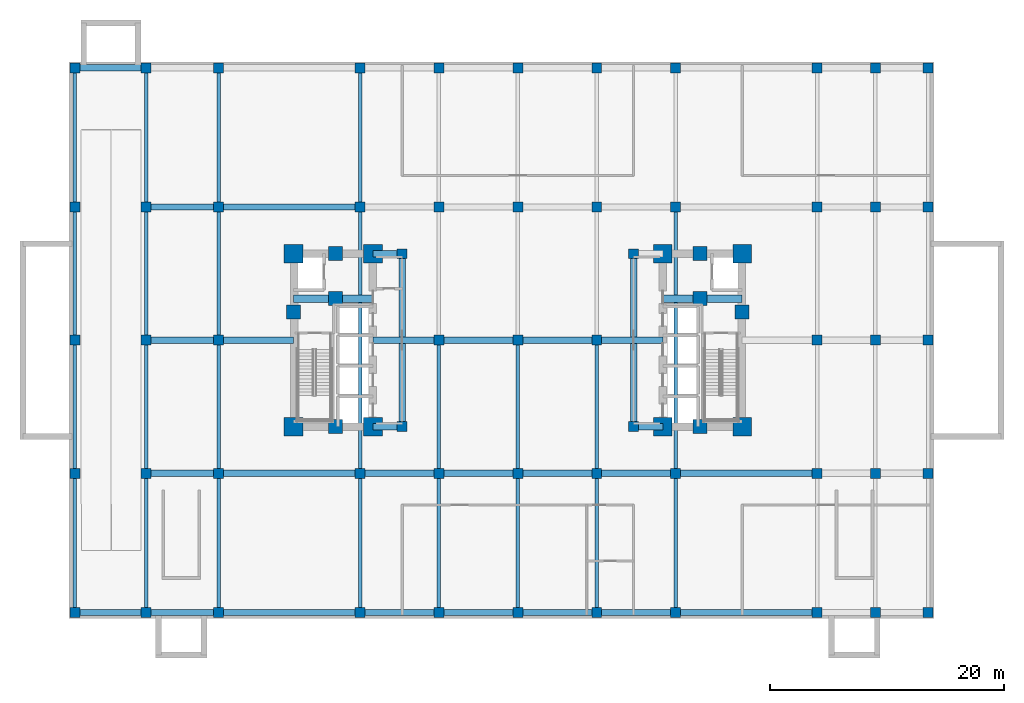
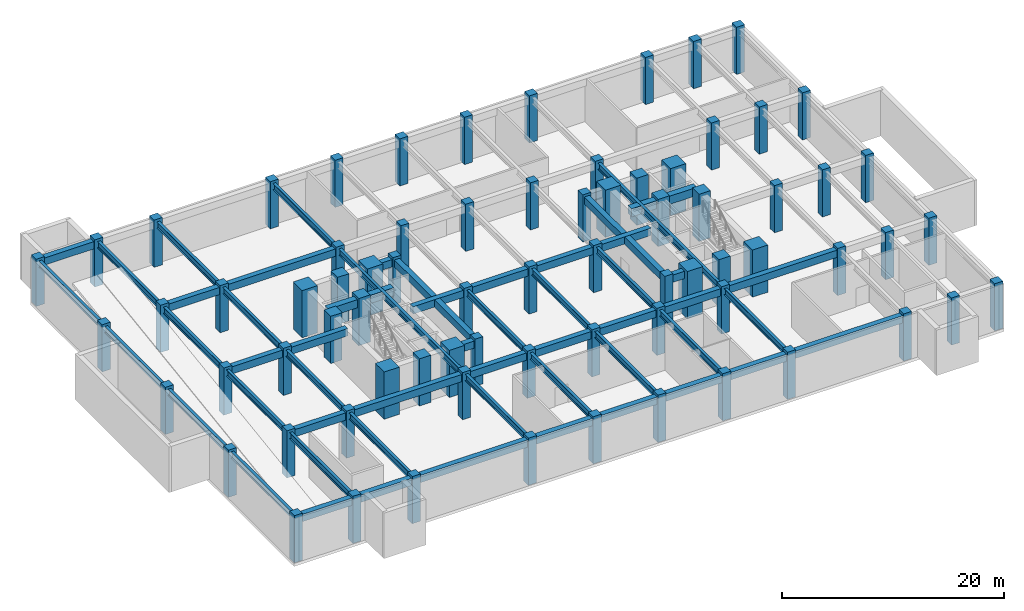
# One storey, part 1 of 7: 73 columns, 54 beams.
"""IFC4 building model written with IfcOpenShell, lengths in metres."""

import ifcopenshell
import ifcopenshell.guid

model = None  # the IFC model being written
_history = None  # IfcOwnerHistory: only IFC2X3 demands one
_inside = {}  # id of a spatial element -> (the spatial element, [elements in it])
_under = {}  # id of a project, library or spatial element -> (it, [spatial elements below it])
_declared = {}  # id of a project -> (the project, [libraries it declares])
_typed = {}  # id of a type object -> (the type object, [elements of that type])
_made_of = {}  # id of a material, layer set ... -> (it, [elements and type objects made of it])


def new_model(schema):
    """Start an empty IFC model of exactly this schema.

    Asked for "IFC4X3", IfcOpenShell would pick the latest addendum, in which some entities
    have other attributes; the version numbers below select the first issue.
    IFC2X3 requires an IfcOwnerHistory on every rooted entity: one is made here for all.
    """
    global model, _history
    if schema == "IFC4X3":
        model = ifcopenshell.file(schema_version=(4, 3, 0, 0))
    else:
        model = ifcopenshell.file(schema=schema)
    _inside.clear()
    _under.clear()
    _declared.clear()
    _typed.clear()
    _made_of.clear()
    _history = None
    if model.schema == "IFC2X3":
        org = make("IfcOrganization", Name="unknown")
        user = make(
            "IfcPersonAndOrganization",
            ThePerson=make("IfcPerson", FamilyName="unknown"),
            TheOrganization=org,
        )
        app = make(
            "IfcApplication",
            ApplicationDeveloper=org,
            Version="unknown",
            ApplicationFullName="unknown",
            ApplicationIdentifier="unknown",
        )
        _history = make(
            "IfcOwnerHistory",
            OwningUser=user,
            OwningApplication=app,
            ChangeAction="ADDED",
            CreationDate=0,
        )
    return model


def make(cls, **values):
    """One entity of the class cls with the attributes given. An attribute that is None is left unset."""
    return model.create_entity(
        cls, **{name: value for name, value in values.items() if value is not None}
    )


def rooted(cls, **values):
    """An entity with a GlobalId (a new one), such as an element, a storey or a relation."""
    return make(cls, GlobalId=ifcopenshell.guid.new(), OwnerHistory=_history, **values)


def si_unit(unit_type, name, prefix=None):
    """IfcSIUnit, for example si_unit("LENGTHUNIT", "METRE", prefix="MILLI")."""
    return make("IfcSIUnit", UnitType=unit_type, Prefix=prefix, Name=name)


def assignment(units):
    """IfcUnitAssignment: the units of a project."""
    return None if units is None else make("IfcUnitAssignment", Units=units)


def point(xyz):
    """IfcCartesianPoint."""
    return None if xyz is None else make("IfcCartesianPoint", Coordinates=xyz)


def direction(xyz):
    """IfcDirection."""
    return None if xyz is None else make("IfcDirection", DirectionRatios=xyz)


def frame(location, z_axis=None, x_axis=None):
    """IfcAxis2Placement3D, a coordinate frame: its origin and axes. An axis left out is left unset."""
    return make(
        "IfcAxis2Placement3D",
        Location=point(location),
        Axis=direction(z_axis),
        RefDirection=direction(x_axis),
    )


def frame_2d(location, x_axis=None):
    """IfcAxis2Placement2D, a coordinate frame in the plane: its origin and x axis."""
    return make(
        "IfcAxis2Placement2D", Location=point(location), RefDirection=direction(x_axis)
    )


def origin():
    """The frame at (0, 0, 0) with its axes left unset."""
    return frame((0.0, 0.0, 0.0))


def origin_2d():
    """The frame at (0, 0) in the plane with its x axis left unset."""
    return frame_2d((0.0, 0.0))


def place(relative_to, where):
    """IfcLocalPlacement: puts the frame where relative to a parent placement (None: the world)."""
    return make(
        "IfcLocalPlacement", PlacementRelTo=relative_to, RelativePlacement=where
    )


def context(
    kind, dimensions, precision=None, world=None, true_north=None, identifier=None
):
    """IfcGeometricRepresentationContext, for example the 3D "Model" context."""
    return make(
        "IfcGeometricRepresentationContext",
        ContextIdentifier=identifier,
        ContextType=kind,
        CoordinateSpaceDimension=dimensions,
        Precision=precision,
        WorldCoordinateSystem=world,
        TrueNorth=true_north,
    )


def subcontext(parent, identifier, kind, view, scale=None):
    """IfcGeometricRepresentationSubContext, for example "Body" below "Model"."""
    return make(
        "IfcGeometricRepresentationSubContext",
        ContextIdentifier=identifier,
        ContextType=kind,
        ParentContext=parent,
        TargetScale=scale,
        TargetView=view,
    )


def project(units=None, contexts=None):
    """IfcProject with its units and contexts."""
    return rooted(
        "IfcProject",
        Name="project",
        RepresentationContexts=contexts,
        UnitsInContext=assignment(units),
    )


def spatial(cls, under=None, at=None, **own):
    """A site, building, storey or space (cls), placed at a placement, below another one or the project."""
    s = rooted(cls, ObjectPlacement=at, **own)
    if under is not None:
        _under.setdefault(under.id(), (under, []))[1].append(s)
    return s


def profile(cls, at=None, kind="AREA", **sizes):
    """A parametric profile (cls). Its sizes go by their IFC names, for example OverallWidth=200.0."""
    return make(cls, ProfileType=kind, Position=at, **sizes)


def rectangle(**sizes):
    """IfcRectangleProfileDef."""
    return profile("IfcRectangleProfileDef", **sizes)


def i_section(**sizes):
    """IfcIShapeProfileDef."""
    return profile("IfcIShapeProfileDef", **sizes)


def extrude(swept, where, along, depth):
    """IfcExtrudedAreaSolid: the profile swept, set in the frame where, extruded along a direction by depth."""
    return make(
        "IfcExtrudedAreaSolid",
        SweptArea=swept,
        Position=where,
        ExtrudedDirection=direction(along),
        Depth=depth,
    )


def shape(context_of_items, identifier, shape_type, items):
    """IfcShapeRepresentation: the items that make up one representation, for example the "Body"."""
    return make(
        "IfcShapeRepresentation",
        ContextOfItems=context_of_items,
        RepresentationIdentifier=identifier,
        RepresentationType=shape_type,
        Items=items,
    )


def material(Name=None, Category=None):
    """IfcMaterial."""
    return make("IfcMaterial", Name=Name, Category=Category)


def material_profile(
    of_material, cross_section, Name=None, Category=None, Priority=None
):
    """IfcMaterialProfile: a cross section and its material."""
    return make(
        "IfcMaterialProfile",
        Name=Name,
        Material=of_material,
        Profile=cross_section,
        Priority=Priority,
        Category=Category,
    )


def profile_set(profiles, Name=None, composite=None):
    """IfcMaterialProfileSet."""
    return make(
        "IfcMaterialProfileSet",
        Name=Name,
        MaterialProfiles=profiles,
        CompositeProfile=composite,
    )


def made_of(thing, what):
    """Note that an element or type object is made of a material, layer set ...; save() writes the relation."""
    if what is not None:
        _made_of.setdefault(what.id(), (what, []))[1].append(thing)
    return thing


def type_object(cls, material=None, **own):
    """A type object (cls), such as IfcWallType, which elements share."""
    return made_of(rooted(cls, **own), material)


def element(
    cls,
    number,
    at=None,
    inside=None,
    cuts=None,
    type_object=None,
    material=None,
    context=None,
    identifier="Body",
    shape_type=None,
    held_by="IfcProductDefinitionShape",
    body=None,
    shapes=None,
    **own,
):
    """One element of the class cls, such as IfcWall. Its Tag is "e" and its number.

    at: its placement. inside: the storey or other place that contains it. cuts: it is an
    opening in that element (IfcRelVoidsElement). A single representation is given by context,
    identifier, shape_type and body (its items); several are given by shapes. held_by: the class
    of the entity that holds the representations. save() writes the other relations.
    """
    e = rooted(cls, Tag="e%d" % number, ObjectPlacement=at, **own)
    if body is not None:
        shapes = [shape(context, identifier, shape_type, body)]
    if shapes is not None:
        e.Representation = make(held_by, Representations=shapes)
    if inside is not None:
        _inside.setdefault(inside.id(), (inside, []))[1].append(e)
    if cuts is not None:
        rooted(
            "IfcRelVoidsElement", RelatingBuildingElement=cuts, RelatedOpeningElement=e
        )
    if type_object is not None:
        _typed.setdefault(type_object.id(), (type_object, []))[1].append(e)
    return made_of(e, material)


def aggregate(whole, parts):
    """IfcRelAggregates: a whole, such as a stair, and the parts it consists of."""
    return rooted("IfcRelAggregates", RelatingObject=whole, RelatedObjects=parts)


def save(model, path):
    """Write the relations noted so far, then the file.

    IfcRelAggregates (storeys below a building ...), IfcRelContainedInSpatialStructure (elements
    in a storey), IfcRelDefinesByType, IfcRelAssociatesMaterial and IfcRelDeclares: one each for
    every whole, place, type object, material and project.
    """
    for whole, parts in _under.values():
        aggregate(whole, parts)
    for where, things in _inside.values():
        rooted(
            "IfcRelContainedInSpatialStructure",
            RelatedElements=things,
            RelatingStructure=where,
        )
    for kind, things in _typed.values():
        rooted("IfcRelDefinesByType", RelatedObjects=things, RelatingType=kind)
    for what, things in _made_of.values():
        rooted("IfcRelAssociatesMaterial", RelatedObjects=things, RelatingMaterial=what)
    for by, libraries in _declared.values():
        rooted("IfcRelDeclares", RelatingContext=by, RelatedDefinitions=libraries)
    model.write(path)


model = new_model("IFC4")

# Units and contexts
model_context = context("Model", 3, precision=1e-05, world=origin(), true_north=direction((0.0, 1.0)))
body_context = subcontext(model_context, "Body", "Model", "MODEL_VIEW")
ifc_project = project(units=[si_unit("LENGTHUNIT", "METRE"), si_unit("AREAUNIT", "SQUARE_METRE"), si_unit("VOLUMEUNIT", "CUBIC_METRE"), si_unit("PLANEANGLEUNIT", "RADIAN"), si_unit("MASSUNIT", "GRAM", prefix="KILO")], contexts=[model_context])

# Site, building, storey
site_placement = place(None, origin())
site = spatial("IfcSite", under=ifc_project, at=site_placement, CompositionType="ELEMENT")
building_placement = place(site_placement, origin())
building = spatial("IfcBuilding", under=site, at=building_placement, Name="Voryun Gate Residences", CompositionType="ELEMENT")
storey_placement = place(building_placement, frame((0.0, 0.0, -5.199951171875)))
storey = spatial("IfcBuildingStorey", under=building, at=storey_placement, Name="B01", CompositionType="ELEMENT", Elevation=-5.199951171875)

# Columns
ifc_material_1 = material(Name="Concrete C50/60", Category="concrete")
ifc_material_profile_1 = material_profile(ifc_material_1, rectangle(XDim=0.85009765625, YDim=0.85009765625, at=origin_2d()), Name="RC-850x850")
ifc_profile_set_1 = profile_set([ifc_material_profile_1], Name="Concrete C50/60")
column_type_1 = type_object("IfcColumnType", Name="COL_BSMT_850", PredefinedType="COLUMN", material=ifc_profile_set_1)
for number, where, z_axis, x_axis, name in (
    (1, (-37.89990234375, -23.300048828125, 0.0), (0.0, 0.0, 1.0), (1.0, 0.0, 0.0), "B01 Basement grid column 1-1"),
    (2, (-37.89990234375, -11.39990234375, 0.0), (0.0, 0.0, 1.0), (1.0, 0.0, 0.0), "B01 Basement grid column 1-2"),
    (3, (-37.89990234375, 0.0, 0.0), (0.0, 0.0, 1.0), (1.0, 0.0, 0.0), "B01 Basement grid column 1-3"),
    (4, (-37.89990234375, 11.39990234375, 0.0), (0.0, 0.0, 1.0), (1.0, 0.0, 0.0), "B01 Basement grid column 1-4"),
    (5, (-37.89990234375, 23.300048828125, 0.0), (0.0, 0.0, 1.0), (1.0, 0.0, 0.0), "B01 Basement grid column 1-5"),
    (6, (-31.800048828125, -23.300048828125, 0.0), (0.0, 0.0, 1.0), (1.0, 0.0, 0.0), "B01 Basement grid column 2-1"),
    (7, (-31.800048828125, -11.39990234375, 0.0), (0.0, 0.0, 1.0), (1.0, 0.0, 0.0), "B01 Basement grid column 2-2"),
    (8, (-31.800048828125, 0.0, 0.0), (0.0, 0.0, 1.0), (1.0, 0.0, 0.0), "B01 Basement grid column 2-3"),
    (9, (-31.800048828125, 11.39990234375, 0.0), (0.0, 0.0, 1.0), (1.0, 0.0, 0.0), "B01 Basement grid column 2-4"),
    (10, (-31.800048828125, 23.300048828125, 0.0), (0.0, 0.0, 1.0), (1.0, 0.0, 0.0), "B01 Basement grid column 2-5"),
    (11, (-25.60009765625, -23.300048828125, 0.0), (0.0, 0.0, 1.0), (1.0, 0.0, 0.0), "B01 Basement grid column 3-1"),
    (12, (-25.60009765625, -11.39990234375, 0.0), (0.0, 0.0, 1.0), (1.0, 0.0, 0.0), "B01 Basement grid column 3-2"),
    (13, (-25.60009765625, 0.0, 0.0), (0.0, 0.0, 1.0), (1.0, 0.0, 0.0), "B01 Basement grid column 3-3"),
    (14, (-25.60009765625, 11.39990234375, 0.0), (0.0, 0.0, 1.0), (1.0, 0.0, 0.0), "B01 Basement grid column 3-4"),
    (15, (-25.60009765625, 23.300048828125, 0.0), (0.0, 0.0, 1.0), (1.0, 0.0, 0.0), "B01 Basement grid column 3-5"),
    (16, (-13.5, -23.300048828125, 0.0), (0.0, 0.0, 1.0), (1.0, 0.0, 0.0), "B01 Basement grid column 4-1"),
    (17, (-13.5, -11.39990234375, 0.0), (0.0, 0.0, 1.0), (1.0, 0.0, 0.0), "B01 Basement grid column 4-2"),
    (18, (-13.5, 11.39990234375, 0.0), (0.0, 0.0, 1.0), (1.0, 0.0, 0.0), "B01 Basement grid column 4-4"),
    (19, (-13.5, 23.300048828125, 0.0), (0.0, 0.0, 1.0), (1.0, 0.0, 0.0), "B01 Basement grid column 4-5"),
    (20, (-6.75, -23.300048828125, 0.0), (0.0, 0.0, 1.0), (1.0, 0.0, 0.0), "B01 Basement grid column 5-1"),
    (21, (-6.75, -11.39990234375, 0.0), (0.0, 0.0, 1.0), (1.0, 0.0, 0.0), "B01 Basement grid column 5-2"),
    (22, (-6.75, 0.0, 0.0), (0.0, 0.0, 1.0), (1.0, 0.0, 0.0), "B01 Basement grid column 5-3"),
    (23, (-6.75, 11.39990234375, 0.0), (0.0, 0.0, 1.0), (1.0, 0.0, 0.0), "B01 Basement grid column 5-4"),
    (24, (-6.75, 23.300048828125, 0.0), (0.0, 0.0, 1.0), (1.0, 0.0, 0.0), "B01 Basement grid column 5-5"),
    (25, (0.0, -23.300048828125, 0.0), (0.0, 0.0, 1.0), (1.0, 0.0, 0.0), "B01 Basement grid column 6-1"),
    (26, (0.0, -11.39990234375, 0.0), (0.0, 0.0, 1.0), (1.0, 0.0, 0.0), "B01 Basement grid column 6-2"),
    (27, (0.0, 0.0, 0.0), (0.0, 0.0, 1.0), (1.0, 0.0, 0.0), "B01 Basement grid column 6-3"),
    (28, (0.0, 11.39990234375, 0.0), (0.0, 0.0, 1.0), (1.0, 0.0, 0.0), "B01 Basement grid column 6-4"),
    (29, (0.0, 23.300048828125, 0.0), (0.0, 0.0, 1.0), (1.0, 0.0, 0.0), "B01 Basement grid column 6-5"),
    (30, (6.75, -23.300048828125, 0.0), (0.0, 0.0, 1.0), (1.0, 0.0, 0.0), "B01 Basement grid column 7-1"),
    (31, (6.75, -11.39990234375, 0.0), (0.0, 0.0, 1.0), (1.0, 0.0, 0.0), "B01 Basement grid column 7-2"),
    (32, (6.75, 0.0, 0.0), (0.0, 0.0, 1.0), (1.0, 0.0, 0.0), "B01 Basement grid column 7-3"),
    (33, (6.75, 11.39990234375, 0.0), (0.0, 0.0, 1.0), (1.0, 0.0, 0.0), "B01 Basement grid column 7-4"),
    (34, (6.75, 23.300048828125, 0.0), (0.0, 0.0, 1.0), (1.0, 0.0, 0.0), "B01 Basement grid column 7-5"),
    (35, (13.5, -23.300048828125, 0.0), (0.0, 0.0, 1.0), (1.0, 0.0, 0.0), "B01 Basement grid column 8-1"),
    (36, (13.5, -11.39990234375, 0.0), (0.0, 0.0, 1.0), (1.0, 0.0, 0.0), "B01 Basement grid column 8-2"),
    (37, (13.5, 11.39990234375, 0.0), (0.0, 0.0, 1.0), (1.0, 0.0, 0.0), "B01 Basement grid column 8-4"),
    (38, (13.5, 23.300048828125, 0.0), (0.0, 0.0, 1.0), (1.0, 0.0, 0.0), "B01 Basement grid column 8-5"),
    (39, (25.60009765625, -23.300048828125, 0.0), (0.0, 0.0, 1.0), (1.0, 0.0, 0.0), "B01 Basement grid column 9-1"),
    (40, (25.60009765625, -11.39990234375, 0.0), (0.0, 0.0, 1.0), (1.0, 0.0, 0.0), "B01 Basement grid column 9-2"),
    (41, (25.60009765625, 0.0, 0.0), (0.0, 0.0, 1.0), (1.0, 0.0, 0.0), "B01 Basement grid column 9-3"),
    (42, (25.60009765625, 11.39990234375, 0.0), (0.0, 0.0, 1.0), (1.0, 0.0, 0.0), "B01 Basement grid column 9-4"),
    (43, (25.60009765625, 23.300048828125, 0.0), (0.0, 0.0, 1.0), (1.0, 0.0, 0.0), "B01 Basement grid column 9-5"),
    (44, (30.60009765625, -23.300048828125, 0.0), (0.0, 0.0, 1.0), (1.0, 0.0, 0.0), "B01 Basement grid column 10-1"),
    (45, (30.60009765625, -11.39990234375, 0.0), (0.0, 0.0, 1.0), (1.0, 0.0, 0.0), "B01 Basement grid column 10-2"),
    (46, (30.60009765625, 0.0, 0.0), (0.0, 0.0, 1.0), (1.0, 0.0, 0.0), "B01 Basement grid column 10-3"),
    (47, (30.60009765625, 11.39990234375, 0.0), (0.0, 0.0, 1.0), (1.0, 0.0, 0.0), "B01 Basement grid column 10-4"),
    (48, (30.60009765625, 23.300048828125, 0.0), (0.0, 0.0, 1.0), (1.0, 0.0, 0.0), "B01 Basement grid column 10-5"),
    (49, (35.10009765625, -23.300048828125, 0.0), (0.0, 0.0, 1.0), (1.0, 0.0, 0.0), "B01 Basement grid column 11-1"),
    (50, (35.10009765625, -11.39990234375, 0.0), (0.0, 0.0, 1.0), (1.0, 0.0, 0.0), "B01 Basement grid column 11-2"),
    (51, (35.10009765625, 0.0, 0.0), (0.0, 0.0, 1.0), (1.0, 0.0, 0.0), "B01 Basement grid column 11-3"),
    (52, (35.10009765625, 11.39990234375, 0.0), (0.0, 0.0, 1.0), (1.0, 0.0, 0.0), "B01 Basement grid column 11-4"),
    (53, (35.10009765625, 23.300048828125, 0.0), (0.0, 0.0, 1.0), (1.0, 0.0, 0.0), "B01 Basement grid column 11-5"),
    (54, (-9.89990234375, -7.39990234375, 0.0), (0.0, 0.0, 1.0), (1.0, 0.0, 0.0), "B01 Core collar column CLR-WS"),
    (55, (-9.89990234375, 7.39990234375, 0.0), (0.0, 0.0, 1.0), (1.0, 0.0, 0.0), "B01 Core collar column CLR-WN"),
    (56, (9.89990234375, -7.39990234375, 0.0), (0.0, 0.0, 1.0), (1.0, 0.0, 0.0), "B01 Core collar column CLR-ES"),
    (57, (9.89990234375, 7.39990234375, 0.0), (0.0, 0.0, 1.0), (1.0, 0.0, 0.0), "B01 Core collar column CLR-EN"),
):
    element("IfcColumn", number, at=place(storey_placement, frame(where, z_axis=z_axis, x_axis=x_axis)), inside=storey, type_object=column_type_1, Name=name, PredefinedType="COLUMN", context=body_context, shape_type="SweptSolid", body=[
        extrude(rectangle(XDim=0.85009765625, YDim=0.85009765625, at=origin_2d()), origin(), (0.0, 0.0, 1.0), 5.199951171875),
    ])
ifc_material_2 = material(Name="Concrete C60/75", Category="concrete")
ifc_material_profile_2 = material_profile(ifc_material_2, rectangle(XDim=1.199951171875, YDim=1.199951171875, at=origin_2d()), Name="RC-1200x1200")
ifc_profile_set_2 = profile_set([ifc_material_profile_2], Name="Concrete C60/75")
column_type_2 = type_object("IfcColumnType", Name="COL_CORE_1200", PredefinedType="COLUMN", material=ifc_profile_set_2)
for number, where, z_axis, x_axis, name in (
    (58, (-19.199951171875, 2.39990234375, 0.0), (0.0, 0.0, 1.0), (1.0, 0.0, 0.0), "B01 Core boundary column WC-MW"),
    (59, (-15.60009765625, -7.39990234375, 0.0), (0.0, 0.0, 1.0), (1.0, 0.0, 0.0), "B01 Core boundary column WC-SM"),
    (60, (-15.60009765625, 7.39990234375, 0.0), (0.0, 0.0, 1.0), (1.0, 0.0, 0.0), "B01 Core boundary column WC-NM"),
    (61, (-15.60009765625, 3.550048828125, 0.0), (0.0, 0.0, 1.0), (1.0, 0.0, 0.0), "B01 Core boundary column WC-MM"),
    (62, (15.60009765625, 3.550048828125, 0.0), (0.0, 0.0, 1.0), (1.0, 0.0, 0.0), "B01 Core boundary column EC-MM"),
    (63, (15.60009765625, -7.39990234375, 0.0), (0.0, 0.0, 1.0), (1.0, 0.0, 0.0), "B01 Core boundary column EC-SM"),
    (64, (15.60009765625, 7.39990234375, 0.0), (0.0, 0.0, 1.0), (1.0, 0.0, 0.0), "B01 Core boundary column EC-NM"),
    (65, (19.199951171875, 2.39990234375, 0.0), (0.0, 0.0, 1.0), (1.0, 0.0, 0.0), "B01 Core boundary column EC-ME"),
):
    element("IfcColumn", number, at=place(storey_placement, frame(where, z_axis=z_axis, x_axis=x_axis)), inside=storey, type_object=column_type_2, Name=name, PredefinedType="COLUMN", context=body_context, shape_type="SweptSolid", body=[
        extrude(rectangle(XDim=1.199951171875, YDim=1.199951171875, at=origin_2d()), origin(), (0.0, 0.0, 1.0), 5.199951171875),
    ])
ifc_material_3 = material(Name="Concrete C60/75", Category="concrete")
ifc_material_profile_3 = material_profile(ifc_material_3, rectangle(XDim=1.60009765625, YDim=1.60009765625, at=origin_2d()), Name="RC-1600x1600")
ifc_profile_set_3 = profile_set([ifc_material_profile_3], Name="Concrete C60/75")
column_type_3 = type_object("IfcColumnType", Name="COL_MEGA_1600", PredefinedType="COLUMN", material=ifc_profile_set_3)
for number, where, z_axis, x_axis, name in (
    (66, (-19.199951171875, -7.39990234375, 0.0), (0.0, 0.0, 1.0), (1.0, 0.0, 0.0), "B01 Core boundary column WC-SW"),
    (67, (-19.199951171875, 7.39990234375, 0.0), (0.0, 0.0, 1.0), (1.0, 0.0, 0.0), "B01 Core boundary column WC-NW"),
    (68, (-12.39990234375, -7.39990234375, 0.0), (0.0, 0.0, 1.0), (1.0, 0.0, 0.0), "B01 Core boundary column WC-SE"),
    (69, (-12.39990234375, 7.39990234375, 0.0), (0.0, 0.0, 1.0), (1.0, 0.0, 0.0), "B01 Core boundary column WC-NE"),
    (70, (12.39990234375, -7.39990234375, 0.0), (0.0, 0.0, 1.0), (1.0, 0.0, 0.0), "B01 Core boundary column EC-SW"),
    (71, (12.39990234375, 7.39990234375, 0.0), (0.0, 0.0, 1.0), (1.0, 0.0, 0.0), "B01 Core boundary column EC-NW"),
    (72, (19.199951171875, -7.39990234375, 0.0), (0.0, 0.0, 1.0), (1.0, 0.0, 0.0), "B01 Core boundary column EC-SE"),
    (73, (19.199951171875, 7.39990234375, 0.0), (0.0, 0.0, 1.0), (1.0, 0.0, 0.0), "B01 Core boundary column EC-NE"),
):
    element("IfcColumn", number, at=place(storey_placement, frame(where, z_axis=z_axis, x_axis=x_axis)), inside=storey, type_object=column_type_3, Name=name, PredefinedType="COLUMN", context=body_context, shape_type="SweptSolid", body=[
        extrude(rectangle(XDim=1.60009765625, YDim=1.60009765625, at=origin_2d()), origin(), (0.0, 0.0, 1.0), 5.199951171875),
    ])

# Beams
ifc_material_4 = material(Name="Concrete C50/60", Category="concrete")
ifc_material_profile_4 = material_profile(ifc_material_4, rectangle(XDim=0.550048828125, YDim=0.800048828125, at=origin_2d()), Name="RC-550x800")
ifc_profile_set_4 = profile_set([ifc_material_profile_4], Name="Concrete C50/60")
beam_type_1 = type_object("IfcBeamType", Name="BM_BSMT_RC800", PredefinedType="BEAM", material=ifc_profile_set_4)
for number, where, z_axis, x_axis, name in (
    (74, (-12.39990234375, -7.39990234375, 4.52001953125), (1.0, 0.0, 0.0), (0.0, 1.0, 0.0), "BM-B01-CLRX-CLR-WS"),
    (75, (-12.39990234375, 7.39990234375, 4.52001953125), (1.0, 0.0, 0.0), (0.0, 1.0, 0.0), "BM-B01-CLRX-CLR-WN"),
    (76, (12.39990234375, -7.39990234375, 4.52001953125), (-1.0, 0.0, 0.0), (0.0, -1.0, 0.0), "BM-B01-CLRX-CLR-ES"),
):
    element("IfcBeam", number, at=place(storey_placement, frame(where, z_axis=z_axis, x_axis=x_axis)), inside=storey, type_object=beam_type_1, Name=name, PredefinedType="BEAM", context=body_context, shape_type="SweptSolid", body=[
        extrude(rectangle(XDim=0.550048828125, YDim=0.800048828125, at=origin_2d()), origin(), (0.0, 0.0, 1.0), 2.5),
    ])
for number, where, z_axis, x_axis, name in (
    (77, (-9.89990234375, -7.39990234375, 4.52001953125), (0.0, 1.0, 0.0), (-1.0, 0.0, 0.0), "BM-B01-CLRY-W"),
    (78, (9.89990234375, -7.39990234375, 4.52001953125), (0.0, 1.0, 0.0), (-1.0, 0.0, 0.0), "BM-B01-CLRY-E"),
):
    element("IfcBeam", number, at=place(storey_placement, frame(where, z_axis=z_axis, x_axis=x_axis)), inside=storey, type_object=beam_type_1, Name=name, PredefinedType="BEAM", context=body_context, shape_type="SweptSolid", body=[
        extrude(rectangle(XDim=0.550048828125, YDim=0.800048828125, at=origin_2d()), origin(), (0.0, 0.0, 1.0), 14.7998046875),
    ])
beam_1_placement = place(storey_placement, frame((-37.89990234375, -23.300048828125, 4.52001953125), z_axis=(1.0, 0.0, 0.0), x_axis=(0.0, 1.0, 0.0)))
element("IfcBeam", 79, at=beam_1_placement, inside=storey, type_object=beam_type_1, Name="BM-B01-BX--23.3-0", PredefinedType="BEAM", context=body_context, shape_type="SweptSolid", body=[
    extrude(rectangle(XDim=0.550048828125, YDim=0.800048828125, at=origin_2d()), origin(), (0.0, 0.0, 1.0), 6.099853515625),
])
beam_2_placement = place(storey_placement, frame((-31.800048828125, -23.300048828125, 4.52001953125), z_axis=(1.0, 0.0, 0.0), x_axis=(0.0, 1.0, 0.0)))
element("IfcBeam", 80, at=beam_2_placement, inside=storey, type_object=beam_type_1, Name="BM-B01-BX--23.3-1", PredefinedType="BEAM", context=body_context, shape_type="SweptSolid", body=[
    extrude(rectangle(XDim=0.550048828125, YDim=0.800048828125, at=origin_2d()), origin(), (0.0, 0.0, 1.0), 6.199951171875),
])
beam_3_placement = place(storey_placement, frame((-25.60009765625, -23.300048828125, 4.52001953125), z_axis=(1.0, 0.0, 0.0), x_axis=(0.0, 1.0, 0.0)))
element("IfcBeam", 81, at=beam_3_placement, inside=storey, type_object=beam_type_1, Name="BM-B01-BX--23.3-2", PredefinedType="BEAM", context=body_context, shape_type="SweptSolid", body=[
    extrude(rectangle(XDim=0.550048828125, YDim=0.800048828125, at=origin_2d()), origin(), (0.0, 0.0, 1.0), 12.10009765625),
])
for number, where, z_axis, x_axis, name in (
    (82, (-13.5, -23.300048828125, 4.52001953125), (1.0, 0.0, 0.0), (0.0, 1.0, 0.0), "BM-B01-BX--23.3-3"),
    (83, (-6.75, -23.300048828125, 4.52001953125), (1.0, 0.0, 0.0), (0.0, 1.0, 0.0), "BM-B01-BX--23.3-4"),
    (84, (0.0, -23.300048828125, 4.52001953125), (1.0, 0.0, 0.0), (0.0, 1.0, 0.0), "BM-B01-BX--23.3-5"),
    (85, (6.75, -23.300048828125, 4.52001953125), (1.0, 0.0, 0.0), (0.0, 1.0, 0.0), "BM-B01-BX--23.3-6"),
):
    element("IfcBeam", number, at=place(storey_placement, frame(where, z_axis=z_axis, x_axis=x_axis)), inside=storey, type_object=beam_type_1, Name=name, PredefinedType="BEAM", context=body_context, shape_type="SweptSolid", body=[
        extrude(rectangle(XDim=0.550048828125, YDim=0.800048828125, at=origin_2d()), origin(), (0.0, 0.0, 1.0), 6.75),
    ])
beam_4_placement = place(storey_placement, frame((13.5, -23.300048828125, 4.52001953125), z_axis=(1.0, 0.0, 0.0), x_axis=(0.0, 1.0, 0.0)))
element("IfcBeam", 86, at=beam_4_placement, inside=storey, type_object=beam_type_1, Name="BM-B01-BX--23.3-7", PredefinedType="BEAM", context=body_context, shape_type="SweptSolid", body=[
    extrude(rectangle(XDim=0.550048828125, YDim=0.800048828125, at=origin_2d()), origin(), (0.0, 0.0, 1.0), 12.10009765625),
])
beam_5_placement = place(storey_placement, frame((-31.800048828125, -11.39990234375, 4.52001953125), z_axis=(1.0, 0.0, 0.0), x_axis=(0.0, 1.0, 0.0)))
element("IfcBeam", 87, at=beam_5_placement, inside=storey, type_object=beam_type_1, Name="BM-B01-BX--11.4-1", PredefinedType="BEAM", context=body_context, shape_type="SweptSolid", body=[
    extrude(rectangle(XDim=0.550048828125, YDim=0.800048828125, at=origin_2d()), origin(), (0.0, 0.0, 1.0), 6.199951171875),
])
beam_6_placement = place(storey_placement, frame((-25.60009765625, -11.39990234375, 4.52001953125), z_axis=(1.0, 0.0, 0.0), x_axis=(0.0, 1.0, 0.0)))
element("IfcBeam", 88, at=beam_6_placement, inside=storey, type_object=beam_type_1, Name="BM-B01-BX--11.4-2", PredefinedType="BEAM", context=body_context, shape_type="SweptSolid", body=[
    extrude(rectangle(XDim=0.550048828125, YDim=0.800048828125, at=origin_2d()), origin(), (0.0, 0.0, 1.0), 12.10009765625),
])
for number, where, z_axis, x_axis, name in (
    (89, (-13.5, -11.39990234375, 4.52001953125), (1.0, 0.0, 0.0), (0.0, 1.0, 0.0), "BM-B01-BX--11.4-3"),
    (90, (-6.75, -11.39990234375, 4.52001953125), (1.0, 0.0, 0.0), (0.0, 1.0, 0.0), "BM-B01-BX--11.4-4"),
    (91, (0.0, -11.39990234375, 4.52001953125), (1.0, 0.0, 0.0), (0.0, 1.0, 0.0), "BM-B01-BX--11.4-5"),
    (92, (6.75, -11.39990234375, 4.52001953125), (1.0, 0.0, 0.0), (0.0, 1.0, 0.0), "BM-B01-BX--11.4-6"),
):
    element("IfcBeam", number, at=place(storey_placement, frame(where, z_axis=z_axis, x_axis=x_axis)), inside=storey, type_object=beam_type_1, Name=name, PredefinedType="BEAM", context=body_context, shape_type="SweptSolid", body=[
        extrude(rectangle(XDim=0.550048828125, YDim=0.800048828125, at=origin_2d()), origin(), (0.0, 0.0, 1.0), 6.75),
    ])
beam_7_placement = place(storey_placement, frame((13.5, -11.39990234375, 4.52001953125), z_axis=(1.0, 0.0, 0.0), x_axis=(0.0, 1.0, 0.0)))
element("IfcBeam", 93, at=beam_7_placement, inside=storey, type_object=beam_type_1, Name="BM-B01-BX--11.4-7", PredefinedType="BEAM", context=body_context, shape_type="SweptSolid", body=[
    extrude(rectangle(XDim=0.550048828125, YDim=0.800048828125, at=origin_2d()), origin(), (0.0, 0.0, 1.0), 12.10009765625),
])
beam_8_placement = place(storey_placement, frame((-31.800048828125, 0.0, 4.52001953125), z_axis=(1.0, 0.0, 0.0), x_axis=(0.0, 1.0, 0.0)))
element("IfcBeam", 94, at=beam_8_placement, inside=storey, type_object=beam_type_1, Name="BM-B01-BX-+0.0-1", PredefinedType="BEAM", context=body_context, shape_type="SweptSolid", body=[
    extrude(rectangle(XDim=0.550048828125, YDim=0.800048828125, at=origin_2d()), origin(), (0.0, 0.0, 1.0), 6.199951171875),
])
beam_9_placement = place(storey_placement, frame((-25.60009765625, 0.0, 4.52001953125), z_axis=(1.0, 0.0, 0.0), x_axis=(0.0, 1.0, 0.0)))
element("IfcBeam", 95, at=beam_9_placement, inside=storey, type_object=beam_type_1, Name="BM-B01-BX-+0.0-2", PredefinedType="BEAM", context=body_context, shape_type="SweptSolid", body=[
    extrude(rectangle(XDim=0.550048828125, YDim=0.800048828125, at=origin_2d()), origin(), (0.0, 0.0, 1.0), 6.400146484375),
])
beam_10_placement = place(storey_placement, frame((-12.39990234375, 0.0, 4.52001953125), z_axis=(1.0, 0.0, 0.0), x_axis=(0.0, 1.0, 0.0)))
element("IfcBeam", 96, at=beam_10_placement, inside=storey, type_object=beam_type_1, Name="BM-B01-BX-+0.0-4", PredefinedType="BEAM", context=body_context, shape_type="SweptSolid", body=[
    extrude(rectangle(XDim=0.550048828125, YDim=0.800048828125, at=origin_2d()), origin(), (0.0, 0.0, 1.0), 5.64990234375),
])
for number, where, z_axis, x_axis, name in (
    (97, (-6.75, 0.0, 4.52001953125), (1.0, 0.0, 0.0), (0.0, 1.0, 0.0), "BM-B01-BX-+0.0-5"),
    (98, (0.0, 0.0, 4.52001953125), (1.0, 0.0, 0.0), (0.0, 1.0, 0.0), "BM-B01-BX-+0.0-6"),
):
    element("IfcBeam", number, at=place(storey_placement, frame(where, z_axis=z_axis, x_axis=x_axis)), inside=storey, type_object=beam_type_1, Name=name, PredefinedType="BEAM", context=body_context, shape_type="SweptSolid", body=[
        extrude(rectangle(XDim=0.550048828125, YDim=0.800048828125, at=origin_2d()), origin(), (0.0, 0.0, 1.0), 6.75),
    ])
beam_11_placement = place(storey_placement, frame((6.75, 0.0, 4.52001953125), z_axis=(1.0, 0.0, 0.0), x_axis=(0.0, 1.0, 0.0)))
element("IfcBeam", 99, at=beam_11_placement, inside=storey, type_object=beam_type_1, Name="BM-B01-BX-+0.0-7", PredefinedType="BEAM", context=body_context, shape_type="SweptSolid", body=[
    extrude(rectangle(XDim=0.550048828125, YDim=0.800048828125, at=origin_2d()), origin(), (0.0, 0.0, 1.0), 5.64990234375),
])
beam_12_placement = place(storey_placement, frame((-31.800048828125, 11.39990234375, 4.52001953125), z_axis=(1.0, 0.0, 0.0), x_axis=(0.0, 1.0, 0.0)))
element("IfcBeam", 100, at=beam_12_placement, inside=storey, type_object=beam_type_1, Name="BM-B01-BX-+11.4-1", PredefinedType="BEAM", context=body_context, shape_type="SweptSolid", body=[
    extrude(rectangle(XDim=0.550048828125, YDim=0.800048828125, at=origin_2d()), origin(), (0.0, 0.0, 1.0), 6.199951171875),
])
beam_13_placement = place(storey_placement, frame((-25.60009765625, 11.39990234375, 4.52001953125), z_axis=(1.0, 0.0, 0.0), x_axis=(0.0, 1.0, 0.0)))
element("IfcBeam", 101, at=beam_13_placement, inside=storey, type_object=beam_type_1, Name="BM-B01-BX-+11.4-2", PredefinedType="BEAM", context=body_context, shape_type="SweptSolid", body=[
    extrude(rectangle(XDim=0.550048828125, YDim=0.800048828125, at=origin_2d()), origin(), (0.0, 0.0, 1.0), 12.10009765625),
])
beam_14_placement = place(storey_placement, frame((-37.89990234375, 23.300048828125, 4.52001953125), z_axis=(1.0, 0.0, 0.0), x_axis=(0.0, 1.0, 0.0)))
element("IfcBeam", 102, at=beam_14_placement, inside=storey, type_object=beam_type_1, Name="BM-B01-BX-+23.3-0", PredefinedType="BEAM", context=body_context, shape_type="SweptSolid", body=[
    extrude(rectangle(XDim=0.550048828125, YDim=0.800048828125, at=origin_2d()), origin(), (0.0, 0.0, 1.0), 6.099853515625),
])
ifc_material_5 = material(Name="Concrete C60/75", Category="concrete")
ifc_material_profile_5 = material_profile(ifc_material_5, rectangle(XDim=0.64990234375, YDim=0.89990234375, at=origin_2d()), Name="RC-650x900")
ifc_profile_set_5 = profile_set([ifc_material_profile_5], Name="Concrete C60/75")
beam_type_2 = type_object("IfcBeamType", Name="BM_COUP_RC900", PredefinedType="LINTEL", material=ifc_profile_set_5)
for number, where, z_axis, x_axis, name in (
    (103, (-19.199951171875, 3.550048828125, 4.469970703125), (1.0, 0.0, 0.0), (0.0, 1.0, 0.0), "BM-B01-WC1"),
    (104, (12.39990234375, 3.550048828125, 4.469970703125), (1.0, 0.0, 0.0), (0.0, 1.0, 0.0), "BM-B01-EC1"),
):
    element("IfcBeam", number, at=place(storey_placement, frame(where, z_axis=z_axis, x_axis=x_axis)), inside=storey, type_object=beam_type_2, Name=name, PredefinedType="LINTEL", context=body_context, shape_type="SweptSolid", body=[
        extrude(rectangle(XDim=0.64990234375, YDim=0.89990234375, at=origin_2d()), origin(), (0.0, 0.0, 1.0), 6.800048828125),
    ])
ifc_material_6 = material(Name="Steel SM355", Category="steel")
ifc_material_profile_6 = material_profile(ifc_material_6, i_section(OverallWidth=0.300048828125, OverallDepth=0.699951171875, WebThickness=0.012939453125, FlangeThickness=0.02392578125, FilletRadius=0.01806640625, at=origin_2d()), Name="H-700x300x13x24")
ifc_profile_set_6 = profile_set([ifc_material_profile_6], Name="Steel SM355")
beam_type_3 = type_object("IfcBeamType", Name="BM_GIRD_700", PredefinedType="USERDEFINED", material=ifc_profile_set_6)
beam_15_placement = place(storey_placement, frame((-37.89990234375, -23.300048828125, 4.570068359375), z_axis=(0.0, 1.0, 0.0), x_axis=(-1.0, 0.0, 0.0)))
element("IfcBeam", 105, at=beam_15_placement, inside=storey, type_object=beam_type_3, Name="BM-B01-BY--37.9-0", ObjectType="GIRDER", PredefinedType="USERDEFINED", context=body_context, shape_type="SweptSolid", body=[
    extrude(i_section(OverallWidth=0.300048828125, OverallDepth=0.699951171875, WebThickness=0.012939453125, FlangeThickness=0.02392578125, FilletRadius=0.01806640625, at=origin_2d()), origin(), (0.0, 0.0, 1.0), 11.900146484375),
])
for number, where, z_axis, x_axis, name in (
    (106, (-37.89990234375, -11.39990234375, 4.570068359375), (0.0, 1.0, 0.0), (-1.0, 0.0, 0.0), "BM-B01-BY--37.9-1"),
    (107, (-37.89990234375, 0.0, 4.570068359375), (0.0, 1.0, 0.0), (-1.0, 0.0, 0.0), "BM-B01-BY--37.9-2"),
):
    element("IfcBeam", number, at=place(storey_placement, frame(where, z_axis=z_axis, x_axis=x_axis)), inside=storey, type_object=beam_type_3, Name=name, ObjectType="GIRDER", PredefinedType="USERDEFINED", context=body_context, shape_type="SweptSolid", body=[
        extrude(i_section(OverallWidth=0.300048828125, OverallDepth=0.699951171875, WebThickness=0.012939453125, FlangeThickness=0.02392578125, FilletRadius=0.01806640625, at=origin_2d()), origin(), (0.0, 0.0, 1.0), 11.39990234375),
    ])
for number, where, z_axis, x_axis, name in (
    (108, (-37.89990234375, 11.39990234375, 4.570068359375), (0.0, 1.0, 0.0), (-1.0, 0.0, 0.0), "BM-B01-BY--37.9-3"),
    (109, (-31.800048828125, -23.300048828125, 4.570068359375), (0.0, 1.0, 0.0), (-1.0, 0.0, 0.0), "BM-B01-BY--31.8-0"),
):
    element("IfcBeam", number, at=place(storey_placement, frame(where, z_axis=z_axis, x_axis=x_axis)), inside=storey, type_object=beam_type_3, Name=name, ObjectType="GIRDER", PredefinedType="USERDEFINED", context=body_context, shape_type="SweptSolid", body=[
        extrude(i_section(OverallWidth=0.300048828125, OverallDepth=0.699951171875, WebThickness=0.012939453125, FlangeThickness=0.02392578125, FilletRadius=0.01806640625, at=origin_2d()), origin(), (0.0, 0.0, 1.0), 11.900146484375),
    ])
for number, where, z_axis, x_axis, name in (
    (110, (-31.800048828125, -11.39990234375, 4.570068359375), (0.0, 1.0, 0.0), (-1.0, 0.0, 0.0), "BM-B01-BY--31.8-1"),
    (111, (-31.800048828125, 0.0, 4.570068359375), (0.0, 1.0, 0.0), (-1.0, 0.0, 0.0), "BM-B01-BY--31.8-2"),
):
    element("IfcBeam", number, at=place(storey_placement, frame(where, z_axis=z_axis, x_axis=x_axis)), inside=storey, type_object=beam_type_3, Name=name, ObjectType="GIRDER", PredefinedType="USERDEFINED", context=body_context, shape_type="SweptSolid", body=[
        extrude(i_section(OverallWidth=0.300048828125, OverallDepth=0.699951171875, WebThickness=0.012939453125, FlangeThickness=0.02392578125, FilletRadius=0.01806640625, at=origin_2d()), origin(), (0.0, 0.0, 1.0), 11.39990234375),
    ])
for number, where, z_axis, x_axis, name in (
    (112, (-31.800048828125, 11.39990234375, 4.570068359375), (0.0, 1.0, 0.0), (-1.0, 0.0, 0.0), "BM-B01-BY--31.8-3"),
    (113, (-25.60009765625, -23.300048828125, 4.570068359375), (0.0, 1.0, 0.0), (-1.0, 0.0, 0.0), "BM-B01-BY--25.6-0"),
):
    element("IfcBeam", number, at=place(storey_placement, frame(where, z_axis=z_axis, x_axis=x_axis)), inside=storey, type_object=beam_type_3, Name=name, ObjectType="GIRDER", PredefinedType="USERDEFINED", context=body_context, shape_type="SweptSolid", body=[
        extrude(i_section(OverallWidth=0.300048828125, OverallDepth=0.699951171875, WebThickness=0.012939453125, FlangeThickness=0.02392578125, FilletRadius=0.01806640625, at=origin_2d()), origin(), (0.0, 0.0, 1.0), 11.900146484375),
    ])
for number, where, z_axis, x_axis, name in (
    (114, (-25.60009765625, -11.39990234375, 4.570068359375), (0.0, 1.0, 0.0), (-1.0, 0.0, 0.0), "BM-B01-BY--25.6-1"),
    (115, (-25.60009765625, 0.0, 4.570068359375), (0.0, 1.0, 0.0), (-1.0, 0.0, 0.0), "BM-B01-BY--25.6-2"),
):
    element("IfcBeam", number, at=place(storey_placement, frame(where, z_axis=z_axis, x_axis=x_axis)), inside=storey, type_object=beam_type_3, Name=name, ObjectType="GIRDER", PredefinedType="USERDEFINED", context=body_context, shape_type="SweptSolid", body=[
        extrude(i_section(OverallWidth=0.300048828125, OverallDepth=0.699951171875, WebThickness=0.012939453125, FlangeThickness=0.02392578125, FilletRadius=0.01806640625, at=origin_2d()), origin(), (0.0, 0.0, 1.0), 11.39990234375),
    ])
for number, where, z_axis, x_axis, name in (
    (116, (-25.60009765625, 11.39990234375, 4.570068359375), (0.0, 1.0, 0.0), (-1.0, 0.0, 0.0), "BM-B01-BY--25.6-3"),
    (117, (-13.5, -23.300048828125, 4.570068359375), (0.0, 1.0, 0.0), (-1.0, 0.0, 0.0), "BM-B01-BY--13.5-0"),
):
    element("IfcBeam", number, at=place(storey_placement, frame(where, z_axis=z_axis, x_axis=x_axis)), inside=storey, type_object=beam_type_3, Name=name, ObjectType="GIRDER", PredefinedType="USERDEFINED", context=body_context, shape_type="SweptSolid", body=[
        extrude(i_section(OverallWidth=0.300048828125, OverallDepth=0.699951171875, WebThickness=0.012939453125, FlangeThickness=0.02392578125, FilletRadius=0.01806640625, at=origin_2d()), origin(), (0.0, 0.0, 1.0), 11.900146484375),
    ])
beam_16_placement = place(storey_placement, frame((-13.5, -11.39990234375, 4.570068359375), z_axis=(0.0, 1.0, 0.0), x_axis=(-1.0, 0.0, 0.0)))
element("IfcBeam", 118, at=beam_16_placement, inside=storey, type_object=beam_type_3, Name="BM-B01-BY--13.5-1", ObjectType="GIRDER", PredefinedType="USERDEFINED", context=body_context, shape_type="SweptSolid", body=[
    extrude(i_section(OverallWidth=0.300048828125, OverallDepth=0.699951171875, WebThickness=0.012939453125, FlangeThickness=0.02392578125, FilletRadius=0.01806640625, at=origin_2d()), origin(), (0.0, 0.0, 1.0), 22.7998046875),
])
for number, where, z_axis, x_axis, name in (
    (119, (-13.5, 11.39990234375, 4.570068359375), (0.0, 1.0, 0.0), (-1.0, 0.0, 0.0), "BM-B01-BY--13.5-2"),
    (120, (-6.75, -23.300048828125, 4.570068359375), (0.0, 1.0, 0.0), (-1.0, 0.0, 0.0), "BM-B01-BY--6.8-0"),
):
    element("IfcBeam", number, at=place(storey_placement, frame(where, z_axis=z_axis, x_axis=x_axis)), inside=storey, type_object=beam_type_3, Name=name, ObjectType="GIRDER", PredefinedType="USERDEFINED", context=body_context, shape_type="SweptSolid", body=[
        extrude(i_section(OverallWidth=0.300048828125, OverallDepth=0.699951171875, WebThickness=0.012939453125, FlangeThickness=0.02392578125, FilletRadius=0.01806640625, at=origin_2d()), origin(), (0.0, 0.0, 1.0), 11.900146484375),
    ])
beam_17_placement = place(storey_placement, frame((-6.75, -11.39990234375, 4.570068359375), z_axis=(0.0, 1.0, 0.0), x_axis=(-1.0, 0.0, 0.0)))
element("IfcBeam", 121, at=beam_17_placement, inside=storey, type_object=beam_type_3, Name="BM-B01-BY--6.8-1", ObjectType="GIRDER", PredefinedType="USERDEFINED", context=body_context, shape_type="SweptSolid", body=[
    extrude(i_section(OverallWidth=0.300048828125, OverallDepth=0.699951171875, WebThickness=0.012939453125, FlangeThickness=0.02392578125, FilletRadius=0.01806640625, at=origin_2d()), origin(), (0.0, 0.0, 1.0), 11.39990234375),
])
beam_18_placement = place(storey_placement, frame((0.0, -23.300048828125, 4.570068359375), z_axis=(0.0, 1.0, 0.0), x_axis=(-1.0, 0.0, 0.0)))
element("IfcBeam", 122, at=beam_18_placement, inside=storey, type_object=beam_type_3, Name="BM-B01-BY-+0.0-0", ObjectType="GIRDER", PredefinedType="USERDEFINED", context=body_context, shape_type="SweptSolid", body=[
    extrude(i_section(OverallWidth=0.300048828125, OverallDepth=0.699951171875, WebThickness=0.012939453125, FlangeThickness=0.02392578125, FilletRadius=0.01806640625, at=origin_2d()), origin(), (0.0, 0.0, 1.0), 11.900146484375),
])
beam_19_placement = place(storey_placement, frame((0.0, -11.39990234375, 4.570068359375), z_axis=(0.0, 1.0, 0.0), x_axis=(-1.0, 0.0, 0.0)))
element("IfcBeam", 123, at=beam_19_placement, inside=storey, type_object=beam_type_3, Name="BM-B01-BY-+0.0-1", ObjectType="GIRDER", PredefinedType="USERDEFINED", context=body_context, shape_type="SweptSolid", body=[
    extrude(i_section(OverallWidth=0.300048828125, OverallDepth=0.699951171875, WebThickness=0.012939453125, FlangeThickness=0.02392578125, FilletRadius=0.01806640625, at=origin_2d()), origin(), (0.0, 0.0, 1.0), 11.39990234375),
])
beam_20_placement = place(storey_placement, frame((6.75, -23.300048828125, 4.570068359375), z_axis=(0.0, 1.0, 0.0), x_axis=(-1.0, 0.0, 0.0)))
element("IfcBeam", 124, at=beam_20_placement, inside=storey, type_object=beam_type_3, Name="BM-B01-BY-+6.8-0", ObjectType="GIRDER", PredefinedType="USERDEFINED", context=body_context, shape_type="SweptSolid", body=[
    extrude(i_section(OverallWidth=0.300048828125, OverallDepth=0.699951171875, WebThickness=0.012939453125, FlangeThickness=0.02392578125, FilletRadius=0.01806640625, at=origin_2d()), origin(), (0.0, 0.0, 1.0), 11.900146484375),
])
beam_21_placement = place(storey_placement, frame((6.75, -11.39990234375, 4.570068359375), z_axis=(0.0, 1.0, 0.0), x_axis=(-1.0, 0.0, 0.0)))
element("IfcBeam", 125, at=beam_21_placement, inside=storey, type_object=beam_type_3, Name="BM-B01-BY-+6.8-1", ObjectType="GIRDER", PredefinedType="USERDEFINED", context=body_context, shape_type="SweptSolid", body=[
    extrude(i_section(OverallWidth=0.300048828125, OverallDepth=0.699951171875, WebThickness=0.012939453125, FlangeThickness=0.02392578125, FilletRadius=0.01806640625, at=origin_2d()), origin(), (0.0, 0.0, 1.0), 11.39990234375),
])
beam_22_placement = place(storey_placement, frame((13.5, -23.300048828125, 4.570068359375), z_axis=(0.0, 1.0, 0.0), x_axis=(-1.0, 0.0, 0.0)))
element("IfcBeam", 126, at=beam_22_placement, inside=storey, type_object=beam_type_3, Name="BM-B01-BY-+13.5-0", ObjectType="GIRDER", PredefinedType="USERDEFINED", context=body_context, shape_type="SweptSolid", body=[
    extrude(i_section(OverallWidth=0.300048828125, OverallDepth=0.699951171875, WebThickness=0.012939453125, FlangeThickness=0.02392578125, FilletRadius=0.01806640625, at=origin_2d()), origin(), (0.0, 0.0, 1.0), 11.900146484375),
])
beam_23_placement = place(storey_placement, frame((13.5, -11.39990234375, 4.570068359375), z_axis=(0.0, 1.0, 0.0), x_axis=(-1.0, 0.0, 0.0)))
element("IfcBeam", 127, at=beam_23_placement, inside=storey, type_object=beam_type_3, Name="BM-B01-BY-+13.5-1", ObjectType="GIRDER", PredefinedType="USERDEFINED", context=body_context, shape_type="SweptSolid", body=[
    extrude(i_section(OverallWidth=0.300048828125, OverallDepth=0.699951171875, WebThickness=0.012939453125, FlangeThickness=0.02392578125, FilletRadius=0.01806640625, at=origin_2d()), origin(), (0.0, 0.0, 1.0), 22.7998046875),
])

save(model, "model.ifc")
